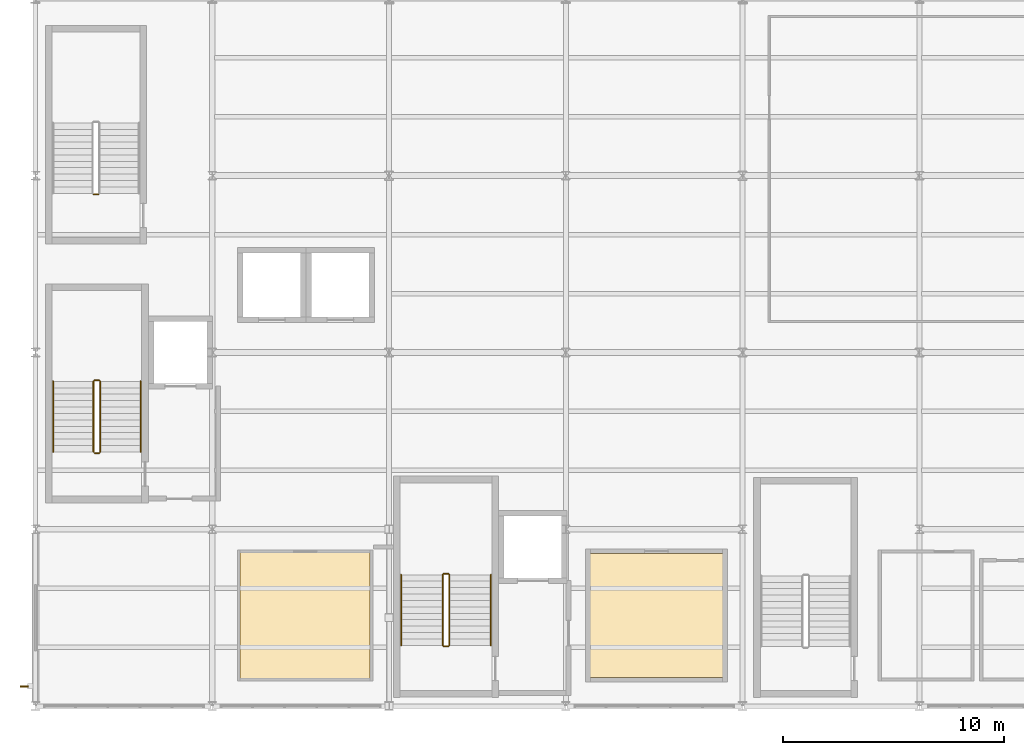
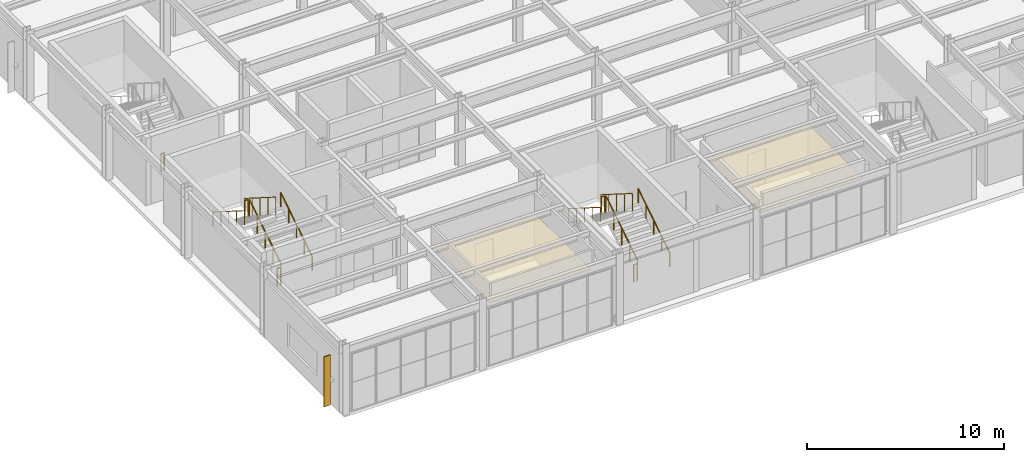
# One storey, part 75 of 83: 13 railings, 2 coverings, 1 shading device.
"""IFC4 building model written with IfcOpenShell, lengths in metres."""

from ifc_helpers import new_model, si_unit, direction, frame, origin, origin_2d, place, context, subcontext, project, spatial, polyline, rectangle, circle, outline, extrude, material, layer, layer_set, type_object, element, save


model = new_model("IFC4")

# Units and contexts
model_context = context("Model", 3, precision=1e-05, world=origin(), true_north=direction((0.0, 1.0)))
body_context = subcontext(model_context, "Body", "Model", "MODEL_VIEW")
ifc_project = project(units=[si_unit("LENGTHUNIT", "METRE"), si_unit("AREAUNIT", "SQUARE_METRE"), si_unit("VOLUMEUNIT", "CUBIC_METRE"), si_unit("PLANEANGLEUNIT", "RADIAN"), si_unit("MASSUNIT", "GRAM", prefix="KILO")], contexts=[model_context])

# Site, building, storey
site_placement = place(None, origin())
site = spatial("IfcSite", under=ifc_project, at=site_placement, CompositionType="ELEMENT")
building_placement = place(site_placement, origin())
building = spatial("IfcBuilding", under=site, at=building_placement, Name="Drelvath Fold Interchange", CompositionType="ELEMENT")
storey_placement = place(building_placement, frame((0.0, 0.0, 11.199951171875)))
storey = spatial("IfcBuildingStorey", under=building, at=storey_placement, Name="L02", CompositionType="ELEMENT", Elevation=11.199951171875)

# Coverings
ifc_material_1 = material(Name="Perforated Aluminium Acoustic Ceiling", Category="aluminium")
ifc_layer = layer(ifc_material_1, 0.01806640625, Name="Perforated Aluminium Acoustic Ceiling")
ifc_layer_set = layer_set([ifc_layer], Name="Perforated Aluminium Acoustic Ceiling")
covering_type = type_object("IfcCoveringType", Name="CV-CEIL-AL18", PredefinedType="CEILING", material=ifc_layer_set)
covering_1_placement = place(storey_placement, frame((0.0, 0.0, 2.830078125)))
element("IfcCovering", 1, at=covering_1_placement, inside=storey, type_object=covering_type, Name="Bus Surface Dispatch Office acoustic ceiling", PredefinedType="CEILING", context=body_context, shape_type="SweptSolid", body=[
    extrude(outline(polyline([(13.2548828125, 4.2548828125), (19.14501953125, 4.2548828125), (19.14501953125, 9.945068359375), (13.2548828125, 9.945068359375), (13.2548828125, 4.2548828125)])), origin(), (0.0, 0.0, 1.0), 0.02001953125),
])
covering_2_placement = place(storey_placement, frame((0.0, 0.0, 2.830078125)))
element("IfcCovering", 2, at=covering_2_placement, inside=storey, type_object=covering_type, Name="Technical Records Archive acoustic ceiling", PredefinedType="CEILING", context=body_context, shape_type="SweptSolid", body=[
    extrude(outline(polyline([(29.094970703125, 4.294921875), (35.10498046875, 4.294921875), (35.10498046875, 9.905029296875), (29.094970703125, 9.905029296875), (29.094970703125, 4.294921875)])), origin(), (0.0, 0.0, 1.0), 0.02001953125),
])

# Railings
ifc_material_2 = material(Name="Stainless Steel 316L", Category="steel")
railing_type_1 = type_object("IfcRailingType", Name="RL-GRD1100", PredefinedType="GUARDRAIL", material=ifc_material_2)
railing_1_placement = place(storey_placement, frame((6.929931640625, 14.5, 0.183349609375)))
element("IfcRailing", 3, at=railing_1_placement, inside=storey, type_object=railing_type_1, Name="L02 ST-01 stair guard 1", PredefinedType="GUARDRAIL", context=body_context, shape_type="SweptSolid", body=[
    extrude(circle(Radius=0.02392578125, at=origin_2d()), frame((0.0, 0.0, 1.076171875), z_axis=(0.0, 0.845261316591, 0.534353166619), x_axis=(-1.0, 0.0, 0.0)), (0.0, 0.0, 1.0), 3.77392578125),
    extrude(circle(Radius=0.02099609375, at=origin_2d()), origin(), (0.0, 0.0, 1.0), 1.052001953125),
    extrude(circle(Radius=0.02099609375, at=origin_2d()), frame((0.0, 0.79736328125, 0.504150390625)), (0.0, 0.0, 1.0), 1.052001953125),
    extrude(circle(Radius=0.02099609375, at=origin_2d()), frame((0.0, 1.594970703125, 1.00830078125)), (0.0, 0.0, 1.0), 1.052001953125),
    extrude(circle(Radius=0.02099609375, at=origin_2d()), frame((0.0, 2.392578125, 1.512451171875)), (0.0, 0.0, 1.0), 1.052001953125),
    extrude(circle(Radius=0.02099609375, at=origin_2d()), frame((0.0, 3.18994140625, 2.0166015625)), (0.0, 0.0, 1.0), 1.052001953125),
])
railing_2_placement = place(storey_placement, frame((6.8798828125, 17.739990234375, 2.199951171875)))
element("IfcRailing", 4, at=railing_2_placement, inside=storey, type_object=railing_type_1, Name="L02 ST-01 stair guard 2", PredefinedType="GUARDRAIL", context=body_context, shape_type="SweptSolid", body=[
    extrude(circle(Radius=0.02392578125, at=origin_2d()), frame((0.0, 0.0, 1.076171875), z_axis=(-1.0, 0.0, 0.0), x_axis=(0.0, -1.0, 0.0)), (0.0, 0.0, 1.0), 0.199951171875),
    extrude(circle(Radius=0.02099609375, at=origin_2d()), origin(), (0.0, 0.0, 1.0), 1.052001953125),
    extrude(circle(Radius=0.02099609375, at=origin_2d()), frame((-0.199951171875, 0.0, 0.0)), (0.0, 0.0, 1.0), 1.052001953125),
])
railing_3_placement = place(storey_placement, frame((6.6298828125, 17.68994140625, 2.38330078125)))
element("IfcRailing", 5, at=railing_3_placement, inside=storey, type_object=railing_type_1, Name="L02 ST-01 stair guard 3", PredefinedType="GUARDRAIL", context=body_context, shape_type="SweptSolid", body=[
    extrude(circle(Radius=0.02392578125, at=origin_2d()), frame((0.0, 0.0, 1.076171875), z_axis=(0.0, -0.845232097178, 0.534399384263), x_axis=(1.0, 0.0, 0.0)), (0.0, 0.0, 1.0), 3.77392578125),
    extrude(circle(Radius=0.02099609375, at=origin_2d()), origin(), (0.0, 0.0, 1.0), 1.052001953125),
    extrude(circle(Radius=0.02099609375, at=origin_2d()), frame((0.0, -0.79736328125, 0.504150390625)), (0.0, 0.0, 1.0), 1.052001953125),
    extrude(circle(Radius=0.02099609375, at=origin_2d()), frame((0.0, -1.594970703125, 1.00830078125)), (0.0, 0.0, 1.0), 1.052001953125),
    extrude(circle(Radius=0.02099609375, at=origin_2d()), frame((0.0, -2.392578125, 1.5126953125)), (0.0, 0.0, 1.0), 1.052001953125),
    extrude(circle(Radius=0.02099609375, at=origin_2d()), frame((0.0, -3.18994140625, 2.016845703125)), (0.0, 0.0, 1.0), 1.052001953125),
])
railing_4_placement = place(storey_placement, frame((6.8798828125, 14.449951171875, 0.0)))
element("IfcRailing", 6, at=railing_4_placement, inside=storey, type_object=railing_type_1, Name="L02 ST-01 stair guard 4", PredefinedType="GUARDRAIL", context=body_context, shape_type="SweptSolid", body=[
    extrude(circle(Radius=0.02392578125, at=origin_2d()), frame((0.0, 0.0, 1.076171875), z_axis=(-1.0, 0.0, 0.0), x_axis=(0.0, -1.0, 0.0)), (0.0, 0.0, 1.0), 0.199951171875),
    extrude(circle(Radius=0.02099609375, at=origin_2d()), origin(), (0.0, 0.0, 1.0), 1.052001953125),
    extrude(circle(Radius=0.02099609375, at=origin_2d()), frame((-0.199951171875, 0.0, 0.0)), (0.0, 0.0, 1.0), 1.052001953125),
])
railing_5_placement = place(storey_placement, frame((6.840087890625, 26.14990234375, 0.0)))
element("IfcRailing", 7, at=railing_5_placement, inside=storey, type_object=railing_type_1, Name="L02 ST-02 stair guard 4", PredefinedType="GUARDRAIL", context=body_context, shape_type="SweptSolid", body=[
    extrude(circle(Radius=0.02392578125, at=origin_2d()), frame((0.0, 0.0, 1.076171875), z_axis=(-1.0, 0.0, 0.0), x_axis=(0.0, -1.0, 0.0)), (0.0, 0.0, 1.0), 0.2001953125),
    extrude(circle(Radius=0.02099609375, at=origin_2d()), origin(), (0.0, 0.0, 1.0), 1.052001953125),
    extrude(circle(Radius=0.02099609375, at=origin_2d()), frame((-0.2001953125, 0.0, 0.0)), (0.0, 0.0, 1.0), 1.052001953125),
])
railing_6_placement = place(storey_placement, frame((22.72998046875, 5.75, 0.183349609375)))
element("IfcRailing", 8, at=railing_6_placement, inside=storey, type_object=railing_type_1, Name="L02 ST-03 stair guard 1", PredefinedType="GUARDRAIL", context=body_context, shape_type="SweptSolid", body=[
    extrude(circle(Radius=0.02392578125, at=origin_2d()), frame((0.0, 0.0, 1.076171875), z_axis=(0.0, 0.845261316591, 0.534353166619), x_axis=(-1.0, 0.0, 0.0)), (0.0, 0.0, 1.0), 3.77392578125),
    extrude(circle(Radius=0.02099609375, at=origin_2d()), origin(), (0.0, 0.0, 1.0), 1.052001953125),
    extrude(circle(Radius=0.02099609375, at=origin_2d()), frame((0.0, 0.79736328125, 0.504150390625)), (0.0, 0.0, 1.0), 1.052001953125),
    extrude(circle(Radius=0.02099609375, at=origin_2d()), frame((0.0, 1.594970703125, 1.00830078125)), (0.0, 0.0, 1.0), 1.052001953125),
    extrude(circle(Radius=0.02099609375, at=origin_2d()), frame((0.0, 2.392578125, 1.512451171875)), (0.0, 0.0, 1.0), 1.052001953125),
    extrude(circle(Radius=0.02099609375, at=origin_2d()), frame((0.0, 3.18994140625, 2.0166015625)), (0.0, 0.0, 1.0), 1.052001953125),
])
railing_7_placement = place(storey_placement, frame((22.679931640625, 8.989990234375, 2.199951171875)))
element("IfcRailing", 9, at=railing_7_placement, inside=storey, type_object=railing_type_1, Name="L02 ST-03 stair guard 2", PredefinedType="GUARDRAIL", context=body_context, shape_type="SweptSolid", body=[
    extrude(circle(Radius=0.02392578125, at=origin_2d()), frame((0.0, 0.0, 1.076171875), z_axis=(-1.0, 0.0, 0.0), x_axis=(0.0, -1.0, 0.0)), (0.0, 0.0, 1.0), 0.199951171875),
    extrude(circle(Radius=0.02099609375, at=origin_2d()), origin(), (0.0, 0.0, 1.0), 1.052001953125),
    extrude(circle(Radius=0.02099609375, at=origin_2d()), frame((-0.199951171875, 0.0, 0.0)), (0.0, 0.0, 1.0), 1.052001953125),
])
railing_8_placement = place(storey_placement, frame((22.429931640625, 8.93994140625, 2.38330078125)))
element("IfcRailing", 10, at=railing_8_placement, inside=storey, type_object=railing_type_1, Name="L02 ST-03 stair guard 3", PredefinedType="GUARDRAIL", context=body_context, shape_type="SweptSolid", body=[
    extrude(circle(Radius=0.02392578125, at=origin_2d()), frame((0.0, 0.0, 1.076171875), z_axis=(0.0, -0.845232097178, 0.534399384263), x_axis=(1.0, 0.0, 0.0)), (0.0, 0.0, 1.0), 3.77392578125),
    extrude(circle(Radius=0.02099609375, at=origin_2d()), origin(), (0.0, 0.0, 1.0), 1.052001953125),
    extrude(circle(Radius=0.02099609375, at=origin_2d()), frame((0.0, -0.79736328125, 0.504150390625)), (0.0, 0.0, 1.0), 1.052001953125),
    extrude(circle(Radius=0.02099609375, at=origin_2d()), frame((0.0, -1.594970703125, 1.00830078125)), (0.0, 0.0, 1.0), 1.052001953125),
    extrude(circle(Radius=0.02099609375, at=origin_2d()), frame((0.0, -2.392578125, 1.5126953125)), (0.0, 0.0, 1.0), 1.052001953125),
    extrude(circle(Radius=0.02099609375, at=origin_2d()), frame((0.0, -3.18994140625, 2.016845703125)), (0.0, 0.0, 1.0), 1.052001953125),
])
railing_9_placement = place(storey_placement, frame((22.679931640625, 5.699951171875, 0.0)))
element("IfcRailing", 11, at=railing_9_placement, inside=storey, type_object=railing_type_1, Name="L02 ST-03 stair guard 4", PredefinedType="GUARDRAIL", context=body_context, shape_type="SweptSolid", body=[
    extrude(circle(Radius=0.02392578125, at=origin_2d()), frame((0.0, 0.0, 1.076171875), z_axis=(-1.0, 0.0, 0.0), x_axis=(0.0, -1.0, 0.0)), (0.0, 0.0, 1.0), 0.199951171875),
    extrude(circle(Radius=0.02099609375, at=origin_2d()), origin(), (0.0, 0.0, 1.0), 1.052001953125),
    extrude(circle(Radius=0.02099609375, at=origin_2d()), frame((-0.199951171875, 0.0, 0.0)), (0.0, 0.0, 1.0), 1.052001953125),
])
railing_type_2 = type_object("IfcRailingType", Name="RL-HND920", PredefinedType="HANDRAIL", material=ifc_material_2)
railing_10_placement = place(storey_placement, frame((8.760009765625, 14.5, 0.183349609375)))
element("IfcRailing", 12, at=railing_10_placement, inside=storey, type_object=railing_type_2, Name="L02 ST-01 stair handrail 1", PredefinedType="HANDRAIL", context=body_context, shape_type="SweptSolid", body=[
    extrude(circle(Radius=0.02392578125, at=origin_2d()), frame((0.0, 0.0, 0.8759765625), z_axis=(0.0, 0.845261316591, 0.534353166619), x_axis=(-1.0, 0.0, 0.0)), (0.0, 0.0, 1.0), 3.77392578125),
    extrude(circle(Radius=0.02099609375, at=origin_2d()), origin(), (0.0, 0.0, 1.0), 0.851806640625),
    extrude(circle(Radius=0.02099609375, at=origin_2d()), frame((0.0, 0.79736328125, 0.504150390625)), (0.0, 0.0, 1.0), 0.851806640625),
    extrude(circle(Radius=0.02099609375, at=origin_2d()), frame((0.0, 1.594970703125, 1.00830078125)), (0.0, 0.0, 1.0), 0.851806640625),
    extrude(circle(Radius=0.02099609375, at=origin_2d()), frame((0.0, 2.392578125, 1.512451171875)), (0.0, 0.0, 1.0), 0.851806640625),
    extrude(circle(Radius=0.02099609375, at=origin_2d()), frame((0.0, 3.18994140625, 2.0166015625)), (0.0, 0.0, 1.0), 0.851806640625),
])
railing_11_placement = place(storey_placement, frame((4.800048828125, 17.68994140625, 2.38330078125)))
element("IfcRailing", 13, at=railing_11_placement, inside=storey, type_object=railing_type_2, Name="L02 ST-01 stair handrail 2", PredefinedType="HANDRAIL", context=body_context, shape_type="SweptSolid", body=[
    extrude(circle(Radius=0.02392578125, at=origin_2d()), frame((0.0, 0.0, 0.8759765625), z_axis=(0.0, -0.845232097178, 0.534399384263), x_axis=(1.0, 0.0, 0.0)), (0.0, 0.0, 1.0), 3.77392578125),
    extrude(circle(Radius=0.02099609375, at=origin_2d()), origin(), (0.0, 0.0, 1.0), 0.851806640625),
    extrude(circle(Radius=0.02099609375, at=origin_2d()), frame((0.0, -0.79736328125, 0.504150390625)), (0.0, 0.0, 1.0), 0.851806640625),
    extrude(circle(Radius=0.02099609375, at=origin_2d()), frame((0.0, -1.594970703125, 1.00830078125)), (0.0, 0.0, 1.0), 0.851806640625),
    extrude(circle(Radius=0.02099609375, at=origin_2d()), frame((0.0, -2.392578125, 1.5126953125)), (0.0, 0.0, 1.0), 0.851806640625),
    extrude(circle(Radius=0.02099609375, at=origin_2d()), frame((0.0, -3.18994140625, 2.016845703125)), (0.0, 0.0, 1.0), 0.851806640625),
])
railing_12_placement = place(storey_placement, frame((24.610107421875, 5.75, 0.183349609375)))
element("IfcRailing", 14, at=railing_12_placement, inside=storey, type_object=railing_type_2, Name="L02 ST-03 stair handrail 1", PredefinedType="HANDRAIL", context=body_context, shape_type="SweptSolid", body=[
    extrude(circle(Radius=0.02392578125, at=origin_2d()), frame((0.0, 0.0, 0.8759765625), z_axis=(0.0, 0.845261316591, 0.534353166619), x_axis=(-1.0, 0.0, 0.0)), (0.0, 0.0, 1.0), 3.77392578125),
    extrude(circle(Radius=0.02099609375, at=origin_2d()), origin(), (0.0, 0.0, 1.0), 0.851806640625),
    extrude(circle(Radius=0.02099609375, at=origin_2d()), frame((0.0, 0.79736328125, 0.504150390625)), (0.0, 0.0, 1.0), 0.851806640625),
    extrude(circle(Radius=0.02099609375, at=origin_2d()), frame((0.0, 1.594970703125, 1.00830078125)), (0.0, 0.0, 1.0), 0.851806640625),
    extrude(circle(Radius=0.02099609375, at=origin_2d()), frame((0.0, 2.392578125, 1.512451171875)), (0.0, 0.0, 1.0), 0.851806640625),
    extrude(circle(Radius=0.02099609375, at=origin_2d()), frame((0.0, 3.18994140625, 2.0166015625)), (0.0, 0.0, 1.0), 0.851806640625),
])
railing_13_placement = place(storey_placement, frame((20.550048828125, 8.93994140625, 2.38330078125)))
element("IfcRailing", 15, at=railing_13_placement, inside=storey, type_object=railing_type_2, Name="L02 ST-03 stair handrail 2", PredefinedType="HANDRAIL", context=body_context, shape_type="SweptSolid", body=[
    extrude(circle(Radius=0.02392578125, at=origin_2d()), frame((0.0, 0.0, 0.8759765625), z_axis=(0.0, -0.845232097178, 0.534399384263), x_axis=(1.0, 0.0, 0.0)), (0.0, 0.0, 1.0), 3.77392578125),
    extrude(circle(Radius=0.02099609375, at=origin_2d()), origin(), (0.0, 0.0, 1.0), 0.851806640625),
    extrude(circle(Radius=0.02099609375, at=origin_2d()), frame((0.0, -0.79736328125, 0.504150390625)), (0.0, 0.0, 1.0), 0.851806640625),
    extrude(circle(Radius=0.02099609375, at=origin_2d()), frame((0.0, -1.594970703125, 1.00830078125)), (0.0, 0.0, 1.0), 0.851806640625),
    extrude(circle(Radius=0.02099609375, at=origin_2d()), frame((0.0, -2.392578125, 1.5126953125)), (0.0, 0.0, 1.0), 0.851806640625),
    extrude(circle(Radius=0.02099609375, at=origin_2d()), frame((0.0, -3.18994140625, 2.016845703125)), (0.0, 0.0, 1.0), 0.851806640625),
])

# Shading device
ifc_material_3 = material(Name="Anodized Aluminium 6063-T6", Category="aluminium")
shading_device_type = type_object("IfcShadingDeviceType", Name="SD-FIN380", PredefinedType="JALOUSIE", material=ifc_material_3)
shading_device_placement = place(storey_placement, frame((3.492919921875, 3.89208984375, 0.10009765625), z_axis=(0.0, 0.0, 1.0), x_axis=(1.0, 0.0, 0.0)))
element("IfcShadingDevice", 16, at=shading_device_placement, inside=storey, type_object=shading_device_type, Name="Vertical aluminium solar fin 25", PredefinedType="JALOUSIE", context=body_context, shape_type="SweptSolid", body=[
    extrude(rectangle(XDim=0.3798828125, YDim=0.06494140625, at=origin_2d()), origin(), (0.0, 0.0, 1.0), 3.10009765625),
])

save(model, "model.ifc")
